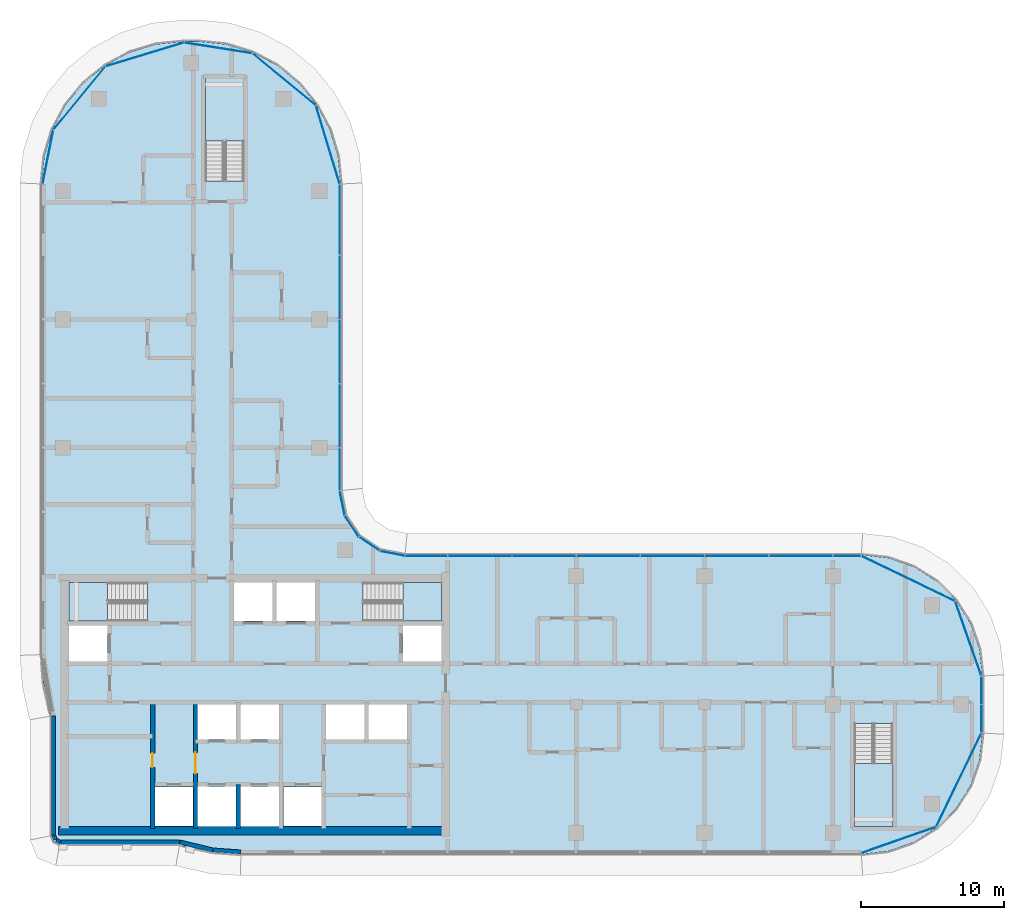
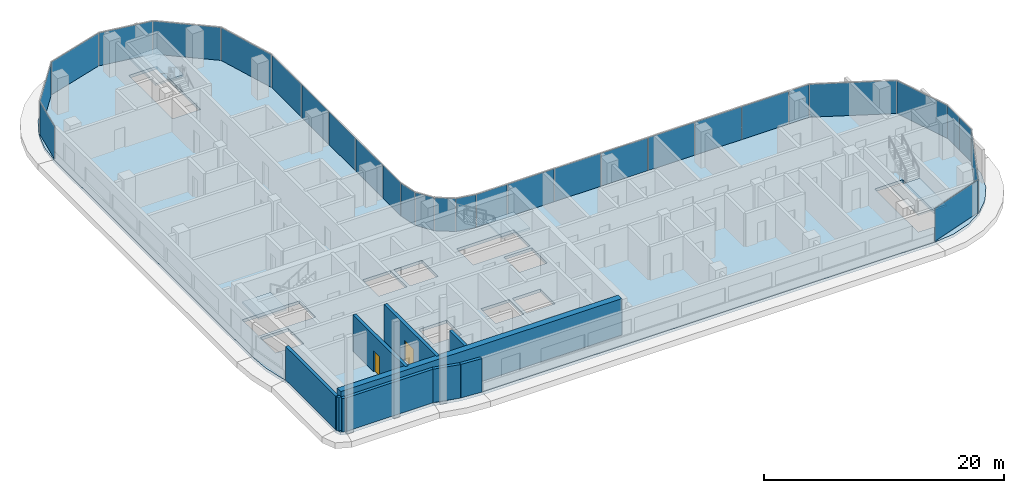
# One storey, part 8 of 24: 29 plates, 10 walls, 5 slabs, 2 doors, 2 openings, 11 elements without a shape of their own.
"""IFC4 building model written with IfcOpenShell, lengths in metres."""

from ifc_helpers import new_model, si_unit, direction, frame, frame_2d, origin, origin_2d, place, context, subcontext, project, spatial, polyline, rectangle, outline, extrude, material, layer, layer_set, type_object, element, fill, aggregate, save


model = new_model("IFC4")

# Units and contexts
model_context = context("Model", 3, precision=1e-05, world=origin(), true_north=direction((0.0, 1.0)))
body_context = subcontext(model_context, "Body", "Model", "MODEL_VIEW")
ifc_project = project(units=[si_unit("LENGTHUNIT", "METRE"), si_unit("AREAUNIT", "SQUARE_METRE"), si_unit("VOLUMEUNIT", "CUBIC_METRE"), si_unit("PLANEANGLEUNIT", "RADIAN"), si_unit("MASSUNIT", "GRAM", prefix="KILO")], contexts=[model_context])

# Site, building, storey
site_placement = place(None, origin())
site = spatial("IfcSite", under=ifc_project, at=site_placement, CompositionType="ELEMENT")
building_placement = place(site_placement, origin())
building = spatial("IfcBuilding", under=site, at=building_placement, Name="Ogive Portal Towers", CompositionType="ELEMENT")
storey_placement = place(building_placement, frame((0.0, 0.0, 142.199951171875)))
storey = spatial("IfcBuildingStorey", under=building, at=storey_placement, Name="L34", CompositionType="ELEMENT", Elevation=142.199951171875)

# Curtain wall, plates
ifc_material_1 = material(Name="Glass, clear low-iron insulated glazing", Category="glass")
curtain_wall_type = type_object("IfcCurtainWallType", Name="CW FRONT RIBBON 4500", PredefinedType="NOTDEFINED", material=ifc_material_1)
curtain_wall_1_placement = place(storey_placement, origin())
curtain_wall_1 = element("IfcCurtainWall", 1, at=curtain_wall_1_placement, inside=storey, type_object=curtain_wall_type, Name="A:L34:f09:cw0", PredefinedType="NOTDEFINED")
ifc_layer_1 = layer(ifc_material_1, 0.028076171875)
ifc_layer_set_1 = layer_set([ifc_layer_1], Name="CW PANEL IGU 28")
plate_type = type_object("IfcPlateType", Name="CW PANEL IGU 28", PredefinedType="CURTAIN_PANEL", material=ifc_layer_set_1)
plate_1_placement = place(storey_placement, frame((95.919921875, 29.509033203125, 0.0), z_axis=(0.0, 0.0, 1.0), x_axis=(0.0, 1.0, 0.0)))
plate_1 = element("IfcPlate", 2, at=plate_1_placement, type_object=plate_type, Name="panel", PredefinedType="CURTAIN_PANEL", context=body_context, shape_type="SweptSolid", body=[
    extrude(rectangle(XDim=1.921630859375, YDim=0.028076171875, at=origin_2d()), origin(), (0.0, 0.0, 1.0), 3.340087890625),
])
plate_2_placement = place(storey_placement, frame((95.919921875, 31.4931640625, 0.0), z_axis=(0.0, 0.0, 1.0), x_axis=(0.0, 1.0, 0.0)))
plate_2 = element("IfcPlate", 3, at=plate_2_placement, type_object=plate_type, Name="panel", PredefinedType="CURTAIN_PANEL", context=body_context, shape_type="SweptSolid", body=[
    extrude(rectangle(XDim=1.926513671875, YDim=0.028076171875, at=origin_2d()), origin(), (0.0, 0.0, 1.0), 3.340087890625),
])
aggregate(curtain_wall_1, [plate_1, plate_2])

curtain_wall_2_placement = place(storey_placement, origin())
curtain_wall_2 = element("IfcCurtainWall", 4, at=curtain_wall_2_placement, inside=storey, type_object=curtain_wall_type, Name="A:L34:f12:cw0", PredefinedType="NOTDEFINED")
plate_3_placement = place(storey_placement, frame((86.490966796875, 40.919921875, 0.0), z_axis=(0.0, 0.0, 1.0), x_axis=(-1.0, 0.0, 0.0)))
plate_3 = element("IfcPlate", 5, at=plate_3_placement, type_object=plate_type, Name="panel", PredefinedType="CURTAIN_PANEL", context=body_context, shape_type="SweptSolid", body=[
    extrude(rectangle(XDim=1.921630859375, YDim=0.028076171875, at=origin_2d()), origin(), (0.0, 0.0, 1.0), 3.340087890625),
])
plate_4_placement = place(storey_placement, frame((83.25, 40.919921875, 0.0), z_axis=(0.0, 0.0, 1.0), x_axis=(-1.0, 0.0, 0.0)))
plate_4 = element("IfcPlate", 6, at=plate_4_placement, type_object=plate_type, Name="panel", PredefinedType="CURTAIN_PANEL", context=body_context, shape_type="SweptSolid", body=[
    extrude(rectangle(XDim=4.43994140625, YDim=0.028076171875, at=origin_2d()), origin(), (0.0, 0.0, 1.0), 3.340087890625),
])
plate_5_placement = place(storey_placement, frame((78.75, 40.919921875, 0.0), z_axis=(0.0, 0.0, 1.0), x_axis=(-1.0, 0.0, 0.0)))
plate_5 = element("IfcPlate", 7, at=plate_5_placement, type_object=plate_type, Name="panel", PredefinedType="CURTAIN_PANEL", context=body_context, shape_type="SweptSolid", body=[
    extrude(rectangle(XDim=4.43994140625, YDim=0.028076171875, at=origin_2d()), origin(), (0.0, 0.0, 1.0), 3.340087890625),
])
plate_6_placement = place(storey_placement, frame((74.25, 40.919921875, 0.0), z_axis=(0.0, 0.0, 1.0), x_axis=(-1.0, 0.0, 0.0)))
plate_6 = element("IfcPlate", 8, at=plate_6_placement, type_object=plate_type, Name="panel", PredefinedType="CURTAIN_PANEL", context=body_context, shape_type="SweptSolid", body=[
    extrude(rectangle(XDim=4.43994140625, YDim=0.028076171875, at=origin_2d()), origin(), (0.0, 0.0, 1.0), 3.340087890625),
])
plate_7_placement = place(storey_placement, frame((69.75, 40.919921875, 0.0), z_axis=(0.0, 0.0, 1.0), x_axis=(-1.0, 0.0, 0.0)))
plate_7 = element("IfcPlate", 9, at=plate_7_placement, type_object=plate_type, Name="panel", PredefinedType="CURTAIN_PANEL", context=body_context, shape_type="SweptSolid", body=[
    extrude(rectangle(XDim=4.43994140625, YDim=0.028076171875, at=origin_2d()), origin(), (0.0, 0.0, 1.0), 3.340087890625),
])
plate_8_placement = place(storey_placement, frame((65.25, 40.919921875, 0.0), z_axis=(0.0, 0.0, 1.0), x_axis=(-1.0, 0.0, 0.0)))
plate_8 = element("IfcPlate", 10, at=plate_8_placement, type_object=plate_type, Name="panel", PredefinedType="CURTAIN_PANEL", context=body_context, shape_type="SweptSolid", body=[
    extrude(rectangle(XDim=4.43994140625, YDim=0.028076171875, at=origin_2d()), origin(), (0.0, 0.0, 1.0), 3.340087890625),
])
plate_9_placement = place(storey_placement, frame((60.75, 40.919921875, 0.0), z_axis=(0.0, 0.0, 1.0), x_axis=(-1.0, 0.0, 0.0)))
plate_9 = element("IfcPlate", 11, at=plate_9_placement, type_object=plate_type, Name="panel", PredefinedType="CURTAIN_PANEL", context=body_context, shape_type="SweptSolid", body=[
    extrude(rectangle(XDim=4.43994140625, YDim=0.028076171875, at=origin_2d()), origin(), (0.0, 0.0, 1.0), 3.340087890625),
])
plate_10_placement = place(storey_placement, frame((56.99609375, 40.919921875, 0.0), z_axis=(0.0, 0.0, 1.0), x_axis=(-1.0, 0.0, 0.0)))
plate_10 = element("IfcPlate", 12, at=plate_10_placement, type_object=plate_type, Name="panel", PredefinedType="CURTAIN_PANEL", context=body_context, shape_type="SweptSolid", body=[
    extrude(rectangle(XDim=2.947998046875, YDim=0.028076171875, at=origin_2d()), origin(), (0.0, 0.0, 1.0), 3.340087890625),
])
aggregate(curtain_wall_2, [plate_3, plate_4, plate_5, plate_6, plate_7, plate_8, plate_9, plate_10])

curtain_wall_3_placement = place(storey_placement, origin())
curtain_wall_3 = element("IfcCurtainWall", 13, at=curtain_wall_3_placement, inside=storey, type_object=curtain_wall_type, Name="A:L34:f17:cw0", PredefinedType="NOTDEFINED")
plate_11_placement = place(storey_placement, frame((50.919921875, 46.99609375, 0.0), z_axis=(0.0, 0.0, 1.0), x_axis=(0.0, 1.0, 0.0)))
plate_11 = element("IfcPlate", 14, at=plate_11_placement, type_object=plate_type, Name="panel", PredefinedType="CURTAIN_PANEL", context=body_context, shape_type="SweptSolid", body=[
    extrude(rectangle(XDim=2.947998046875, YDim=0.028076171875, at=origin_2d()), origin(), (0.0, 0.0, 1.0), 3.340087890625),
])
plate_12_placement = place(storey_placement, frame((50.919921875, 50.75, 0.0), z_axis=(0.0, 0.0, 1.0), x_axis=(0.0, 1.0, 0.0)))
plate_12 = element("IfcPlate", 15, at=plate_12_placement, type_object=plate_type, Name="panel", PredefinedType="CURTAIN_PANEL", context=body_context, shape_type="SweptSolid", body=[
    extrude(rectangle(XDim=4.43994140625, YDim=0.028076171875, at=origin_2d()), origin(), (0.0, 0.0, 1.0), 3.340087890625),
])
plate_13_placement = place(storey_placement, frame((50.919921875, 55.25, 0.0), z_axis=(0.0, 0.0, 1.0), x_axis=(0.0, 1.0, 0.0)))
plate_13 = element("IfcPlate", 16, at=plate_13_placement, type_object=plate_type, Name="panel", PredefinedType="CURTAIN_PANEL", context=body_context, shape_type="SweptSolid", body=[
    extrude(rectangle(XDim=4.43994140625, YDim=0.028076171875, at=origin_2d()), origin(), (0.0, 0.0, 1.0), 3.340087890625),
])
plate_14_placement = place(storey_placement, frame((50.919921875, 59.75, 0.0), z_axis=(0.0, 0.0, 1.0), x_axis=(0.0, 1.0, 0.0)))
plate_14 = element("IfcPlate", 17, at=plate_14_placement, type_object=plate_type, Name="panel", PredefinedType="CURTAIN_PANEL", context=body_context, shape_type="SweptSolid", body=[
    extrude(rectangle(XDim=4.43994140625, YDim=0.028076171875, at=origin_2d()), origin(), (0.0, 0.0, 1.0), 3.340087890625),
])
plate_15_placement = place(storey_placement, frame((50.919921875, 64.494140625, 0.0), z_axis=(0.0, 0.0, 1.0), x_axis=(0.0, 1.0, 0.0)))
plate_15 = element("IfcPlate", 18, at=plate_15_placement, type_object=plate_type, Name="panel", PredefinedType="CURTAIN_PANEL", context=body_context, shape_type="SweptSolid", body=[
    extrude(rectangle(XDim=4.92822265625, YDim=0.028076171875, at=origin_2d()), origin(), (0.0, 0.0, 1.0), 3.340087890625),
])
aggregate(curtain_wall_3, [plate_11, plate_12, plate_13, plate_14, plate_15])

curtain_wall_4_placement = place(storey_placement, origin())
curtain_wall_4 = element("IfcCurtainWall", 19, at=curtain_wall_4_placement, inside=storey, type_object=curtain_wall_type, Name="A:L34:f07:cwa", PredefinedType="NOTDEFINED")
plate_16_placement = place(storey_placement, frame((90.1142578125, 20.99951171875, 0.0), z_axis=(0.0, 0.0, 1.0), x_axis=(0.943883330307, 0.33027906196, 0.0)))
plate_16 = element("IfcPlate", 20, at=plate_16_placement, type_object=plate_type, Name="panel", PredefinedType="CURTAIN_PANEL", context=body_context, shape_type="SweptSolid", body=[
    extrude(rectangle(XDim=5.508056640625, YDim=0.028076171875, at=origin_2d()), origin(), (0.0, 0.0, 1.0), 3.340087890625),
])
plate_17_placement = place(storey_placement, frame((94.3310546875, 25.21875, 0.0), z_axis=(0.0, 0.0, 1.0), x_axis=(0.433883739113, 0.900968867905, 0.0)))
plate_17 = element("IfcPlate", 21, at=plate_17_placement, type_object=plate_type, Name="panel", PredefinedType="CURTAIN_PANEL", context=body_context, shape_type="SweptSolid", body=[
    extrude(rectangle(XDim=7.2646484375, YDim=0.028076171875, at=origin_2d()), origin(), (0.0, 0.0, 1.0), 3.340087890625),
])
aggregate(curtain_wall_4, [plate_16, plate_17])

curtain_wall_5_placement = place(storey_placement, origin())
curtain_wall_5 = element("IfcCurtainWall", 22, at=curtain_wall_5_placement, inside=storey, type_object=curtain_wall_type, Name="A:L34:f10:cwa", PredefinedType="NOTDEFINED")
plate_18_placement = place(storey_placement, frame((95.00048828125, 35.1142578125, 0.0), z_axis=(0.0, 0.0, 1.0), x_axis=(-0.33027906196, 0.943883330307, 0.0)))
plate_18 = element("IfcPlate", 23, at=plate_18_placement, type_object=plate_type, Name="panel", PredefinedType="CURTAIN_PANEL", context=body_context, shape_type="SweptSolid", body=[
    extrude(rectangle(XDim=5.508056640625, YDim=0.028076171875, at=origin_2d()), origin(), (0.0, 0.0, 1.0), 3.340087890625),
])
plate_19_placement = place(storey_placement, frame((90.78125, 39.3310546875, 0.0), z_axis=(0.0, 0.0, 1.0), x_axis=(-0.900968867905, 0.433883739113, 0.0)))
plate_19 = element("IfcPlate", 24, at=plate_19_placement, type_object=plate_type, Name="panel", PredefinedType="CURTAIN_PANEL", context=body_context, shape_type="SweptSolid", body=[
    extrude(rectangle(XDim=7.2646484375, YDim=0.028076171875, at=origin_2d()), origin(), (0.0, 0.0, 1.0), 3.340087890625),
])
aggregate(curtain_wall_5, [plate_18, plate_19])

curtain_wall_6_placement = place(storey_placement, origin())
curtain_wall_6 = element("IfcCurtainWall", 25, at=curtain_wall_6_placement, inside=storey, type_object=curtain_wall_type, Name="A:L34:f13:cwa", PredefinedType="NOTDEFINED")
plate_20_placement = place(storey_placement, frame((54.619384765625, 41.093505859375, 0.0), z_axis=(0.0, 0.0, 1.0), x_axis=(-0.980785280403, 0.195090322016, 0.0)))
plate_20 = element("IfcPlate", 26, at=plate_20_placement, type_object=plate_type, Name="panel", PredefinedType="CURTAIN_PANEL", context=body_context, shape_type="SweptSolid", body=[
    extrude(rectangle(XDim=1.7197265625, YDim=0.028076171875, at=origin_2d()), origin(), (0.0, 0.0, 1.0), 3.340087890625),
])
plate_21_placement = place(storey_placement, frame((53.00341796875, 41.763671875, 0.0), z_axis=(0.0, 0.0, 1.0), x_axis=(-0.831469612303, 0.55557023302, 0.0)))
plate_21 = element("IfcPlate", 27, at=plate_21_placement, type_object=plate_type, Name="panel", PredefinedType="CURTAIN_PANEL", context=body_context, shape_type="SweptSolid", body=[
    extrude(rectangle(XDim=1.7275390625, YDim=0.028076171875, at=origin_2d()), origin(), (0.0, 0.0, 1.0), 3.340087890625),
])
plate_22_placement = place(storey_placement, frame((51.763671875, 43.00341796875, 0.0), z_axis=(0.0, 0.0, 1.0), x_axis=(-0.55557023302, 0.831469612303, 0.0)))
plate_22 = element("IfcPlate", 28, at=plate_22_placement, type_object=plate_type, Name="panel", PredefinedType="CURTAIN_PANEL", context=body_context, shape_type="SweptSolid", body=[
    extrude(rectangle(XDim=1.7275390625, YDim=0.028076171875, at=origin_2d()), origin(), (0.0, 0.0, 1.0), 3.340087890625),
])
plate_23_placement = place(storey_placement, frame((51.093505859375, 44.619384765625, 0.0), z_axis=(0.0, 0.0, 1.0), x_axis=(-0.195090322016, 0.980785280403, 0.0)))
plate_23 = element("IfcPlate", 29, at=plate_23_placement, type_object=plate_type, Name="panel", PredefinedType="CURTAIN_PANEL", context=body_context, shape_type="SweptSolid", body=[
    extrude(rectangle(XDim=1.7197265625, YDim=0.028076171875, at=origin_2d()), origin(), (0.0, 0.0, 1.0), 3.340087890625),
])
aggregate(curtain_wall_6, [plate_20, plate_21, plate_22, plate_23])

curtain_wall_7_placement = place(storey_placement, origin())
curtain_wall_7 = element("IfcCurtainWall", 30, at=curtain_wall_7_placement, inside=storey, type_object=curtain_wall_type, Name="A:L34:f18:cwa", PredefinedType="NOTDEFINED")
plate_24_placement = place(storey_placement, frame((50.08251953125, 69.748779296875, 0.0), z_axis=(0.0, 0.0, 1.0), x_axis=(-0.290284677254, 0.956940335732, 0.0)))
plate_24 = element("IfcPlate", 31, at=plate_24_placement, type_object=plate_type, Name="panel", PredefinedType="CURTAIN_PANEL", context=body_context, shape_type="SweptSolid", body=[
    extrude(rectangle(XDim=5.70947265625, YDim=0.028076171875, at=origin_2d()), origin(), (0.0, 0.0, 1.0), 3.340087890625),
])
plate_25_placement = place(storey_placement, frame((47.01904296875, 74.336181640625, 0.0), z_axis=(0.0, 0.0, 1.0), x_axis=(-0.773010453363, 0.634393284164, 0.0)))
plate_25 = element("IfcPlate", 32, at=plate_25_placement, type_object=plate_type, Name="panel", PredefinedType="CURTAIN_PANEL", context=body_context, shape_type="SweptSolid", body=[
    extrude(rectangle(XDim=5.69970703125, YDim=0.028076171875, at=origin_2d()), origin(), (0.0, 0.0, 1.0), 3.340087890625),
])
plate_26_placement = place(storey_placement, frame((42.399169921875, 76.54052734375, 0.0), z_axis=(0.0, 0.0, 1.0), x_axis=(-0.987792174992, 0.155777466355, 0.0)))
plate_26 = element("IfcPlate", 33, at=plate_26_placement, type_object=plate_type, Name="panel", PredefinedType="CURTAIN_PANEL", context=body_context, shape_type="SweptSolid", body=[
    extrude(rectangle(XDim=4.786376953125, YDim=0.028076171875, at=origin_2d()), origin(), (0.0, 0.0, 1.0), 3.340087890625),
])
plate_27_placement = place(storey_placement, frame((37.248291015625, 76.08154296875, 0.0), z_axis=(0.0, 0.0, 1.0), x_axis=(-0.956940335732, -0.290284677254, 0.0)))
plate_27 = element("IfcPlate", 34, at=plate_27_placement, type_object=plate_type, Name="panel", PredefinedType="CURTAIN_PANEL", context=body_context, shape_type="SweptSolid", body=[
    extrude(rectangle(XDim=5.703125, YDim=0.028076171875, at=origin_2d()), origin(), (0.0, 0.0, 1.0), 3.340087890625),
])
plate_28_placement = place(storey_placement, frame((32.663330078125, 73.018310546875, 0.0), z_axis=(0.0, 0.0, 1.0), x_axis=(-0.634393284164, -0.773010453363, 0.0)))
plate_28 = element("IfcPlate", 35, at=plate_28_placement, type_object=plate_type, Name="panel", PredefinedType="CURTAIN_PANEL", context=body_context, shape_type="SweptSolid", body=[
    extrude(rectangle(XDim=5.701416015625, YDim=0.028076171875, at=origin_2d()), origin(), (0.0, 0.0, 1.0), 3.340087890625),
])
plate_29_placement = place(storey_placement, frame((30.457763671875, 68.891845703125, 0.0), z_axis=(0.0, 0.0, 1.0), x_axis=(-0.195090322016, -0.980785280403, 0.0)))
plate_29 = element("IfcPlate", 36, at=plate_29_placement, type_object=plate_type, Name="panel", PredefinedType="CURTAIN_PANEL", context=body_context, shape_type="SweptSolid", body=[
    extrude(rectangle(XDim=3.81396484375, YDim=0.028076171875, at=origin_2d()), origin(), (0.0, 0.0, 1.0), 3.340087890625),
])
aggregate(curtain_wall_7, [plate_24, plate_25, plate_26, plate_27, plate_28, plate_29])

# Stair, slab
ifc_material_2 = material(Name="Concrete C40/50", Category="concrete")
stair_type = type_object("IfcStairType", Name="INT-STAIR", PredefinedType="HALF_TURN_STAIR", material=ifc_material_2)
stair_1_placement = place(storey_placement, origin())
stair_1 = element("IfcStair", 37, at=stair_1_placement, inside=storey, type_object=stair_type, Name="L34 Exit Stair ST-A1", PredefinedType="HALF_TURN_STAIR")
ifc_layer_2 = layer(ifc_material_2, 0.199951171875)
ifc_layer_set_2 = layer_set([ifc_layer_2], Name="INT-LANDING")
slab_type_1 = type_object("IfcSlabType", Name="INT-LANDING", PredefinedType="LANDING", material=ifc_layer_set_2)
slab_1_placement = place(storey_placement, frame((0.0, 0.0, 1.650146484375)))
slab_1 = element("IfcSlab", 38, at=slab_1_placement, type_object=slab_type_1, Name="ST-A1 landing 1", PredefinedType="LANDING", context=body_context, shape_type="SweptSolid", body=[
    extrude(outline(polyline([(34.64990234375, 39.050048828125), (31.949951171875, 39.050048828125), (31.949951171875, 36.35009765625), (34.64990234375, 36.35009765625), (34.64990234375, 39.050048828125)])), origin(), (0.0, 0.0, 1.0), 0.199951171875),
])
aggregate(stair_1, [slab_1])

stair_2_placement = place(storey_placement, origin())
stair_2 = element("IfcStair", 39, at=stair_2_placement, inside=storey, type_object=stair_type, Name="L34 Exit Stair ST-A2", PredefinedType="HALF_TURN_STAIR")
slab_2_placement = place(storey_placement, frame((0.0, 0.0, 1.650146484375)))
slab_2 = element("IfcSlab", 40, at=slab_2_placement, type_object=slab_type_1, Name="ST-A2 landing 1", PredefinedType="LANDING", context=body_context, shape_type="SweptSolid", body=[
    extrude(outline(polyline([(55.35009765625, 36.35009765625), (58.050048828125, 36.35009765625), (58.050048828125, 39.050048828125), (55.35009765625, 39.050048828125), (55.35009765625, 36.35009765625)])), origin(), (0.0, 0.0, 1.0), 0.199951171875),
])
aggregate(stair_2, [slab_2])

stair_3_placement = place(storey_placement, origin())
stair_3 = element("IfcStair", 41, at=stair_3_placement, inside=storey, type_object=stair_type, Name="L34 Exit Stair ST-A3", PredefinedType="HALF_TURN_STAIR")
slab_3_placement = place(storey_placement, frame((0.0, 0.0, 1.650146484375)))
slab_3 = element("IfcSlab", 42, at=slab_3_placement, type_object=slab_type_1, Name="ST-A3 landing 1", PredefinedType="LANDING", context=body_context, shape_type="SweptSolid", body=[
    extrude(outline(polyline([(44.199951171875, 70.0), (44.199951171875, 74.449951171875), (41.5, 74.449951171875), (41.5, 70.0), (44.199951171875, 70.0)])), origin(), (0.0, 0.0, 1.0), 0.199951171875),
])
aggregate(stair_3, [slab_3])

stair_4_placement = place(storey_placement, origin())
stair_4 = element("IfcStair", 43, at=stair_4_placement, inside=storey, type_object=stair_type, Name="L34 Exit Stair ST-A4", PredefinedType="HALF_TURN_STAIR")
slab_4_placement = place(storey_placement, frame((0.0, 0.0, 1.650146484375)))
slab_4 = element("IfcSlab", 44, at=slab_4_placement, type_object=slab_type_1, Name="ST-A4 landing 1", PredefinedType="LANDING", context=body_context, shape_type="SweptSolid", body=[
    extrude(outline(polyline([(87.0, 26.3701171875), (87.0, 21.949951171875), (89.699951171875, 21.949951171875), (89.699951171875, 26.3701171875), (87.0, 26.3701171875)])), origin(), (0.0, 0.0, 1.0), 0.199951171875),
])
aggregate(stair_4, [slab_4])

# Slab
ifc_material_3 = material(Name="Concrete C45/55", Category="concrete")
ifc_layer_3 = layer(ifc_material_3, 0.300048828125)
ifc_layer_set_3 = layer_set([ifc_layer_3], Name="PT FLAT PLATE 300")
slab_type_2 = type_object("IfcSlabType", Name="PT FLAT PLATE 300", PredefinedType="FLOOR", material=ifc_layer_set_3)
slab_5_placement = place(storey_placement, frame((0.0, 0.0, -0.300048828125)))
element("IfcSlab", 45, at=slab_5_placement, inside=storey, type_object=slab_type_2, Name="Floor slab L34", PredefinedType="FLOOR", context=body_context, shape_type="SweptSolid", body=[
    extrude(outline(polyline([(30.142578125, 32.007568359375), (30.567138671875, 30.0556640625), (30.699951171875, 29.699462890625), (30.699951171875, 21.300048828125), (30.875732421875, 20.875732421875), (31.300048828125, 20.699951171875), (39.699462890625, 20.699951171875), (40.0556640625, 20.567138671875), (42.007568359375, 20.142578125), (44.0, 20.0), (87.5, 20.0), (89.391357421875, 20.213134765625), (91.18798828125, 20.841796875), (92.7998046875, 21.8544921875), (94.1455078125, 23.2001953125), (95.158203125, 24.81201171875), (95.786865234375, 26.608642578125), (96.0, 28.5), (96.0, 32.5), (95.786865234375, 34.391357421875), (95.158203125, 36.18798828125), (94.1455078125, 37.7998046875), (92.7998046875, 39.1455078125), (91.18798828125, 40.158203125), (89.391357421875, 40.786865234375), (87.5, 41.0), (55.5, 41.0), (53.77783203125, 41.342529296875), (52.318115234375, 42.318115234375), (51.342529296875, 43.77783203125), (51.0, 45.5), (51.0, 67.0), (50.807861328125, 68.950927734375), (50.23876953125, 70.826904296875), (49.314697265625, 72.5556640625), (48.071044921875, 74.071044921875), (46.5556640625, 75.314697265625), (44.826904296875, 76.23876953125), (42.950927734375, 76.807861328125), (41.0, 77.0), (40.0, 77.0), (38.049072265625, 76.807861328125), (36.173095703125, 76.23876953125), (34.4443359375, 75.314697265625), (32.928955078125, 74.071044921875), (31.685302734375, 72.5556640625), (30.76123046875, 70.826904296875), (30.192138671875, 68.950927734375), (30.0, 67.0), (30.0, 34.0), (30.142578125, 32.007568359375)]), holes=[polyline([(40.6298828125, 21.969970703125), (37.969970703125, 21.969970703125), (37.969970703125, 24.72998046875), (40.6298828125, 24.72998046875), (40.6298828125, 21.969970703125)]), polyline([(43.64990234375, 24.75), (43.64990234375, 21.949951171875), (40.949951171875, 21.949951171875), (40.949951171875, 24.75), (43.64990234375, 24.75)]), polyline([(46.64990234375, 24.75), (46.64990234375, 21.949951171875), (43.949951171875, 21.949951171875), (43.949951171875, 24.75), (46.64990234375, 24.75)]), polyline([(43.64990234375, 30.5), (43.64990234375, 28.050048828125), (40.949951171875, 28.050048828125), (40.949951171875, 30.5), (43.64990234375, 30.5)]), polyline([(34.64990234375, 36.050048828125), (34.64990234375, 33.5), (31.949951171875, 33.5), (31.949951171875, 36.050048828125), (34.64990234375, 36.050048828125)]), polyline([(31.951904296875, 39.048095703125), (37.447998046875, 39.048095703125), (37.447998046875, 36.35205078125), (31.951904296875, 36.35205078125), (31.951904296875, 39.048095703125)]), polyline([(46.199951171875, 39.050048828125), (46.199951171875, 36.35009765625), (43.5, 36.35009765625), (43.5, 39.050048828125), (46.199951171875, 39.050048828125)]), polyline([(44.197998046875, 74.447998046875), (44.197998046875, 67.201904296875), (41.501953125, 67.201904296875), (41.501953125, 74.447998046875), (44.197998046875, 74.447998046875)]), polyline([(49.6298828125, 21.969970703125), (46.969970703125, 21.969970703125), (46.969970703125, 24.72998046875), (49.6298828125, 24.72998046875), (49.6298828125, 21.969970703125)]), polyline([(87.001953125, 21.951904296875), (87.001953125, 29.16796875), (89.697998046875, 29.16796875), (89.697998046875, 21.951904296875), (87.001953125, 21.951904296875)]), polyline([(46.64990234375, 30.5), (46.64990234375, 28.050048828125), (43.949951171875, 28.050048828125), (43.949951171875, 30.5), (46.64990234375, 30.5)]), polyline([(52.64990234375, 30.5), (52.64990234375, 28.050048828125), (49.949951171875, 28.050048828125), (49.949951171875, 30.5), (52.64990234375, 30.5)]), polyline([(55.64990234375, 30.5), (55.64990234375, 28.050048828125), (52.949951171875, 28.050048828125), (52.949951171875, 30.5), (55.64990234375, 30.5)]), polyline([(58.050048828125, 36.050048828125), (58.050048828125, 33.5), (55.35009765625, 33.5), (55.35009765625, 36.050048828125), (58.050048828125, 36.050048828125)]), polyline([(49.199951171875, 39.050048828125), (49.199951171875, 36.35009765625), (46.5, 36.35009765625), (46.5, 39.050048828125), (49.199951171875, 39.050048828125)]), polyline([(58.048095703125, 36.35205078125), (52.552001953125, 36.35205078125), (52.552001953125, 39.048095703125), (58.048095703125, 39.048095703125), (58.048095703125, 36.35205078125)])]), origin(), (0.0, 0.0, 1.0), 0.300048828125),
])

# Wall, opening, door
ifc_material_4 = material(Name="Concrete C60/75", Category="concrete")
ifc_layer_4 = layer(ifc_material_4, 0.300048828125)
ifc_layer_set_4 = layer_set([ifc_layer_4], Name="CORE WALL 300 C60")
wall_type_1 = type_object("IfcWallType", Name="CORE WALL 300 C60", PredefinedType="SHEAR", material=ifc_layer_set_4)
wall_1_placement = place(storey_placement, frame((37.800048828125, 21.800048828125, 0.0), z_axis=(0.0, 0.0, 1.0), x_axis=(0.0, 1.0, 0.0)))
wall_1 = element("IfcWall", 46, at=wall_1_placement, inside=storey, type_object=wall_type_1, Name="Core wall X1 L34", PredefinedType="SHEAR", context=body_context, shape_type="SweptSolid", body=[
    extrude(rectangle(XDim=8.699951171875, YDim=0.300048828125, at=frame_2d((4.35009765625, 0.0))), origin(), (0.0, 0.0, 1.0), 3.699951171875),
])
opening_1_placement = place(wall_1_placement, frame((4.2880859375, 0.0, 0.0)))
opening_1 = element("IfcOpeningElement", 47, at=opening_1_placement, cuts=wall_1, Name="Opening D13-022", PredefinedType="OPENING", context=body_context, shape_type="SweptSolid", body=[
    extrude(rectangle(XDim=1.0, YDim=2.10009765625, at=frame_2d((0.5, 1.050048828125))), frame((0.0, 0.16015625, 0.0), z_axis=(0.0, -1.0, 0.0), x_axis=(1.0, 0.0, 0.0)), (0.0, 0.0, 1.0), 0.320068359375),
])
ifc_material_5 = material(Name="Steel fire door", Category="steel")
door_type_1 = type_object("IfcDoorType", Name="DT-SWING-1000x2100-FD90S", OperationType="SINGLE_SWING_LEFT", PredefinedType="DOOR", material=ifc_material_5)
door_1_placement = place(opening_1_placement, origin())
door_1 = element("IfcDoor", 48, at=door_1_placement, inside=storey, type_object=door_type_1, Name="Door D13-022", OperationType="SINGLE_SWING_RIGHT", OverallHeight=2.10009765625, OverallWidth=1.0, PredefinedType="DOOR", context=body_context, shape_type="SweptSolid", body=[
    extrude(rectangle(XDim=1.0, YDim=2.10009765625, at=frame_2d((0.5, 1.050048828125))), frame((0.0, 0.02490234375, 0.0), z_axis=(0.0, -1.0, 0.0), x_axis=(1.0, 0.0, 0.0)), (0.0, 0.0, 1.0), 0.050048828125),
])
fill(opening_1, door_1)

wall_2_placement = place(storey_placement, frame((40.800048828125, 21.800048828125, 0.0), z_axis=(0.0, 0.0, 1.0), x_axis=(0.0, 1.0, 0.0)))
wall_2 = element("IfcWall", 49, at=wall_2_placement, inside=storey, type_object=wall_type_1, Name="Core wall X2 L34", PredefinedType="SHEAR", context=body_context, shape_type="SweptSolid", body=[
    extrude(rectangle(XDim=8.699951171875, YDim=0.300048828125, at=frame_2d((4.35009765625, 0.0))), origin(), (0.0, 0.0, 1.0), 3.699951171875),
])
opening_2_placement = place(wall_2_placement, frame((3.85009765625, 0.0, 0.0)))
opening_2 = element("IfcOpeningElement", 50, at=opening_2_placement, cuts=wall_2, Name="Opening D13-001", PredefinedType="OPENING", context=body_context, shape_type="SweptSolid", body=[
    extrude(rectangle(XDim=1.5, YDim=2.10009765625, at=frame_2d((0.75, 1.050048828125))), frame((0.0, 0.16015625, 0.0), z_axis=(0.0, -1.0, 0.0), x_axis=(1.0, 0.0, 0.0)), (0.0, 0.0, 1.0), 0.320068359375),
])
door_type_2 = type_object("IfcDoorType", Name="DT-SWING-1500x2100-FD90S", OperationType="SINGLE_SWING_LEFT", PredefinedType="DOOR", material=ifc_material_5)
door_2_placement = place(opening_2_placement, origin())
door_2 = element("IfcDoor", 51, at=door_2_placement, inside=storey, type_object=door_type_2, Name="Door D13-001", OperationType="SINGLE_SWING_RIGHT", OverallHeight=2.10009765625, OverallWidth=1.5, PredefinedType="DOOR", context=body_context, shape_type="SweptSolid", body=[
    extrude(rectangle(XDim=1.5, YDim=2.10009765625, at=frame_2d((0.75, 1.050048828125))), frame((0.0, 0.02490234375, 0.0), z_axis=(0.0, -1.0, 0.0), x_axis=(1.0, 0.0, 0.0)), (0.0, 0.0, 1.0), 0.050048828125),
])
fill(opening_2, door_2)

# Walls
ifc_layer_5 = layer(ifc_material_4, 0.60009765625)
ifc_layer_set_5 = layer_set([ifc_layer_5], Name="CORE WALL 600 C60")
wall_type_2 = type_object("IfcWallType", Name="CORE WALL 600 C60", PredefinedType="SHEAR", material=ifc_layer_set_5)
wall_3_placement = place(storey_placement, frame((31.199951171875, 21.64990234375, 0.0), z_axis=(0.0, 0.0, 1.0), x_axis=(1.0, 0.0, 0.0)))
element("IfcWall", 52, at=wall_3_placement, inside=storey, type_object=wall_type_2, Name="Core wall S L34", PredefinedType="SHEAR", context=body_context, shape_type="SweptSolid", body=[
    extrude(rectangle(XDim=27.0, YDim=0.60009765625, at=frame_2d((13.5, 0.0))), origin(), (0.0, 0.0, 1.0), 3.699951171875),
])
ifc_material_6 = material(Name="Limestone cladding on lightweight block wall", Category="masonry")
ifc_layer_6 = layer(ifc_material_6, 0.300048828125)
ifc_layer_set_6 = layer_set([ifc_layer_6], Name="EXTERNAL WALL 300 STONE")
wall_type_3 = type_object("IfcWallType", Name="EXTERNAL WALL 300 STONE", PredefinedType="SOLIDWALL", material=ifc_layer_set_6)
wall_4_placement = place(storey_placement, frame((30.85009765625, 29.699462890625, 0.0), z_axis=(0.0, 0.0, 1.0), x_axis=(0.0, -1.0, 0.0)))
element("IfcWall", 53, at=wall_4_placement, inside=storey, type_object=wall_type_3, Name="A:L34:f00:r0:wall", PredefinedType="SOLIDWALL", context=body_context, shape_type="SweptSolid", body=[
    extrude(rectangle(XDim=8.33984375, YDim=0.300048828125, at=frame_2d((4.169921875, 0.0))), origin(), (0.0, 0.0, 1.0), 3.400146484375),
])
for number, where, z_axis, x_axis, name in (
    (54, (30.861328125, 21.30224609375, 0.0), (0.0, 0.0, 1.0), (0.38297812142, -0.923757413239, 0.0), "A:L34:f01:r0:wall"),
    (55, (31.0478515625, 20.966796875, 0.0), (0.0, 0.0, 1.0), (0.923757413239, -0.38297812142, 0.0), "A:L34:f02:r0:wall"),
):
    element("IfcWall", number, at=place(storey_placement, frame(where, z_axis=z_axis, x_axis=x_axis)), inside=storey, type_object=wall_type_3, Name=name, PredefinedType="SOLIDWALL", context=body_context, shape_type="SweptSolid", body=[
        extrude(rectangle(XDim=0.275390625, YDim=0.300048828125, at=frame_2d((0.1376953125, 0.0))), origin(), (0.0, 0.0, 1.0), 3.400146484375),
    ])
wall_5_placement = place(storey_placement, frame((31.359619140625, 20.85009765625, 0.0), z_axis=(0.0, 0.0, 1.0), x_axis=(1.0, 0.0, 0.0)))
element("IfcWall", 56, at=wall_5_placement, inside=storey, type_object=wall_type_3, Name="A:L34:f03:r0:wall", PredefinedType="SOLIDWALL", context=body_context, shape_type="SweptSolid", body=[
    extrude(rectangle(XDim=8.33984375, YDim=0.300048828125, at=frame_2d((4.169921875, 0.0))), origin(), (0.0, 0.0, 1.0), 3.400146484375),
])
wall_6_placement = place(storey_placement, frame((39.734619140625, 20.845703125, 0.0), z_axis=(0.0, 0.0, 1.0), x_axis=(0.97206095595, -0.234728562212, 0.0)))
element("IfcWall", 57, at=wall_6_placement, inside=storey, type_object=wall_type_3, Name="A:L34:f04:r0:wall", PredefinedType="SOLIDWALL", context=body_context, shape_type="SweptSolid", body=[
    extrude(rectangle(XDim=2.349609375, YDim=0.300048828125, at=frame_2d((1.1748046875, 0.0))), origin(), (0.0, 0.0, 1.0), 3.400146484375),
])
wall_7_placement = place(storey_placement, frame((42.043212890625, 20.290283203125, 0.0), z_axis=(0.0, 0.0, 1.0), x_axis=(0.997454275884, -0.071308958214, 0.0)))
element("IfcWall", 58, at=wall_7_placement, inside=storey, type_object=wall_type_3, Name="A:L34:f05:r0:wall", PredefinedType="SOLIDWALL", context=body_context, shape_type="SweptSolid", body=[
    extrude(rectangle(XDim=1.961669921875, YDim=0.300048828125, at=frame_2d((0.98095703125, 0.0))), origin(), (0.0, 0.0, 1.0), 3.400146484375),
])
ifc_layer_7 = layer(ifc_material_2, 0.300048828125)
ifc_layer_set_7 = layer_set([ifc_layer_7], Name="WT-SHAFT-300")
wall_type_4 = type_object("IfcWallType", Name="WT-SHAFT-300", PredefinedType="SOLIDWALL", material=ifc_layer_set_7)
wall_8_placement = place(storey_placement, frame((43.800048828125, 21.800048828125, 0.0), z_axis=(0.0, 0.0, 1.0), x_axis=(0.0, 1.0, 0.0)))
element("IfcWall", 59, at=wall_8_placement, inside=storey, type_object=wall_type_4, Name="Wall pw:008:L34", PredefinedType="SOLIDWALL", context=body_context, shape_type="SweptSolid", body=[
    extrude(rectangle(XDim=3.099853515625, YDim=0.300048828125, at=frame_2d((1.5498046875, 0.0))), origin(), (0.0, 0.0, 1.0), 3.400146484375),
])

save(model, "model.ifc")
